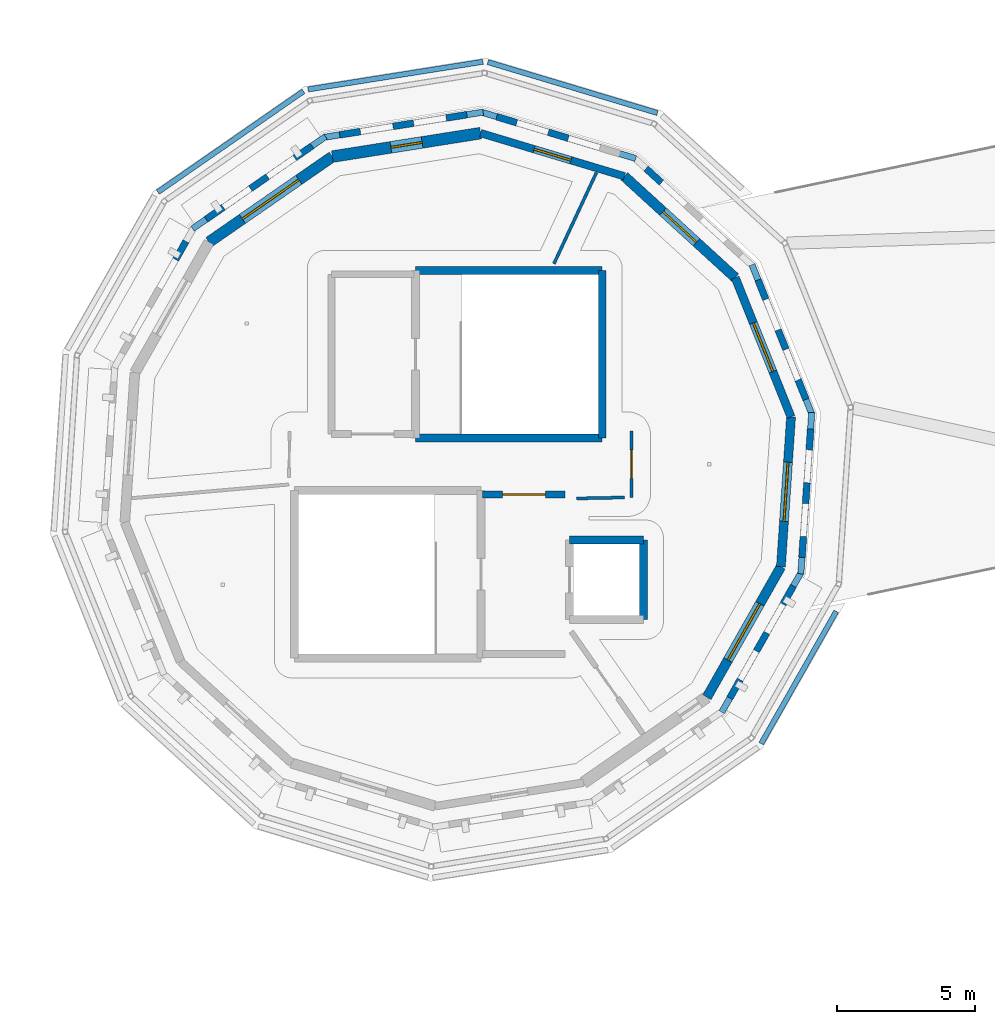
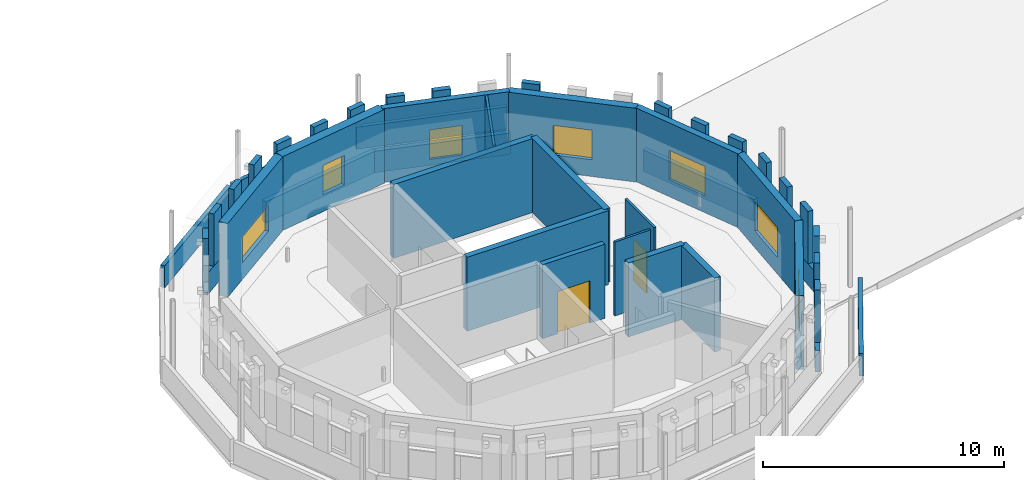
# One storey, part 40 of 51: 45 walls, 7 windows, 2 doors, 9 openings.
"""IFC4 building model written with IfcOpenShell, lengths in metres."""

import ifcopenshell
import ifcopenshell.guid

model = None  # the IFC model being written
_history = None  # IfcOwnerHistory: only IFC2X3 demands one
_inside = {}  # id of a spatial element -> (the spatial element, [elements in it])
_under = {}  # id of a project, library or spatial element -> (it, [spatial elements below it])
_declared = {}  # id of a project -> (the project, [libraries it declares])
_typed = {}  # id of a type object -> (the type object, [elements of that type])
_made_of = {}  # id of a material, layer set ... -> (it, [elements and type objects made of it])


def new_model(schema):
    """Start an empty IFC model of exactly this schema.

    Asked for "IFC4X3", IfcOpenShell would pick the latest addendum, in which some entities
    have other attributes; the version numbers below select the first issue.
    IFC2X3 requires an IfcOwnerHistory on every rooted entity: one is made here for all.
    """
    global model, _history
    if schema == "IFC4X3":
        model = ifcopenshell.file(schema_version=(4, 3, 0, 0))
    else:
        model = ifcopenshell.file(schema=schema)
    _inside.clear()
    _under.clear()
    _declared.clear()
    _typed.clear()
    _made_of.clear()
    _history = None
    if model.schema == "IFC2X3":
        org = make("IfcOrganization", Name="unknown")
        user = make(
            "IfcPersonAndOrganization",
            ThePerson=make("IfcPerson", FamilyName="unknown"),
            TheOrganization=org,
        )
        app = make(
            "IfcApplication",
            ApplicationDeveloper=org,
            Version="unknown",
            ApplicationFullName="unknown",
            ApplicationIdentifier="unknown",
        )
        _history = make(
            "IfcOwnerHistory",
            OwningUser=user,
            OwningApplication=app,
            ChangeAction="ADDED",
            CreationDate=0,
        )
    return model


def make(cls, **values):
    """One entity of the class cls with the attributes given. An attribute that is None is left unset."""
    return model.create_entity(
        cls, **{name: value for name, value in values.items() if value is not None}
    )


def rooted(cls, **values):
    """An entity with a GlobalId (a new one), such as an element, a storey or a relation."""
    return make(cls, GlobalId=ifcopenshell.guid.new(), OwnerHistory=_history, **values)


def si_unit(unit_type, name, prefix=None):
    """IfcSIUnit, for example si_unit("LENGTHUNIT", "METRE", prefix="MILLI")."""
    return make("IfcSIUnit", UnitType=unit_type, Prefix=prefix, Name=name)


def assignment(units):
    """IfcUnitAssignment: the units of a project."""
    return None if units is None else make("IfcUnitAssignment", Units=units)


def point(xyz):
    """IfcCartesianPoint."""
    return None if xyz is None else make("IfcCartesianPoint", Coordinates=xyz)


def direction(xyz):
    """IfcDirection."""
    return None if xyz is None else make("IfcDirection", DirectionRatios=xyz)


def frame(location, z_axis=None, x_axis=None):
    """IfcAxis2Placement3D, a coordinate frame: its origin and axes. An axis left out is left unset."""
    return make(
        "IfcAxis2Placement3D",
        Location=point(location),
        Axis=direction(z_axis),
        RefDirection=direction(x_axis),
    )


def frame_2d(location, x_axis=None):
    """IfcAxis2Placement2D, a coordinate frame in the plane: its origin and x axis."""
    return make(
        "IfcAxis2Placement2D", Location=point(location), RefDirection=direction(x_axis)
    )


def origin():
    """The frame at (0, 0, 0) with its axes left unset."""
    return frame((0.0, 0.0, 0.0))


def place(relative_to, where):
    """IfcLocalPlacement: puts the frame where relative to a parent placement (None: the world)."""
    return make(
        "IfcLocalPlacement", PlacementRelTo=relative_to, RelativePlacement=where
    )


def context(
    kind, dimensions, precision=None, world=None, true_north=None, identifier=None
):
    """IfcGeometricRepresentationContext, for example the 3D "Model" context."""
    return make(
        "IfcGeometricRepresentationContext",
        ContextIdentifier=identifier,
        ContextType=kind,
        CoordinateSpaceDimension=dimensions,
        Precision=precision,
        WorldCoordinateSystem=world,
        TrueNorth=true_north,
    )


def subcontext(parent, identifier, kind, view, scale=None):
    """IfcGeometricRepresentationSubContext, for example "Body" below "Model"."""
    return make(
        "IfcGeometricRepresentationSubContext",
        ContextIdentifier=identifier,
        ContextType=kind,
        ParentContext=parent,
        TargetScale=scale,
        TargetView=view,
    )


def project(units=None, contexts=None):
    """IfcProject with its units and contexts."""
    return rooted(
        "IfcProject",
        Name="project",
        RepresentationContexts=contexts,
        UnitsInContext=assignment(units),
    )


def spatial(cls, under=None, at=None, **own):
    """A site, building, storey or space (cls), placed at a placement, below another one or the project."""
    s = rooted(cls, ObjectPlacement=at, **own)
    if under is not None:
        _under.setdefault(under.id(), (under, []))[1].append(s)
    return s


def profile(cls, at=None, kind="AREA", **sizes):
    """A parametric profile (cls). Its sizes go by their IFC names, for example OverallWidth=200.0."""
    return make(cls, ProfileType=kind, Position=at, **sizes)


def rectangle(**sizes):
    """IfcRectangleProfileDef."""
    return profile("IfcRectangleProfileDef", **sizes)


def extrude(swept, where, along, depth):
    """IfcExtrudedAreaSolid: the profile swept, set in the frame where, extruded along a direction by depth."""
    return make(
        "IfcExtrudedAreaSolid",
        SweptArea=swept,
        Position=where,
        ExtrudedDirection=direction(along),
        Depth=depth,
    )


def shape(context_of_items, identifier, shape_type, items):
    """IfcShapeRepresentation: the items that make up one representation, for example the "Body"."""
    return make(
        "IfcShapeRepresentation",
        ContextOfItems=context_of_items,
        RepresentationIdentifier=identifier,
        RepresentationType=shape_type,
        Items=items,
    )


def material(Name=None, Category=None):
    """IfcMaterial."""
    return make("IfcMaterial", Name=Name, Category=Category)


def layer(
    of_material, thickness, ventilated=None, Name=None, Category=None, Priority=None
):
    """IfcMaterialLayer: one layer of a wall or slab, of a material (None: an air gap)."""
    return make(
        "IfcMaterialLayer",
        Material=of_material,
        LayerThickness=thickness,
        IsVentilated=ventilated,
        Name=Name,
        Category=Category,
        Priority=Priority,
    )


def layer_set(layers, Name=None):
    """IfcMaterialLayerSet."""
    return make("IfcMaterialLayerSet", MaterialLayers=layers, LayerSetName=Name)


def made_of(thing, what):
    """Note that an element or type object is made of a material, layer set ...; save() writes the relation."""
    if what is not None:
        _made_of.setdefault(what.id(), (what, []))[1].append(thing)
    return thing


def type_object(cls, material=None, **own):
    """A type object (cls), such as IfcWallType, which elements share."""
    return made_of(rooted(cls, **own), material)


def element(
    cls,
    number,
    at=None,
    inside=None,
    cuts=None,
    type_object=None,
    material=None,
    context=None,
    identifier="Body",
    shape_type=None,
    held_by="IfcProductDefinitionShape",
    body=None,
    shapes=None,
    **own,
):
    """One element of the class cls, such as IfcWall. Its Tag is "e" and its number.

    at: its placement. inside: the storey or other place that contains it. cuts: it is an
    opening in that element (IfcRelVoidsElement). A single representation is given by context,
    identifier, shape_type and body (its items); several are given by shapes. held_by: the class
    of the entity that holds the representations. save() writes the other relations.
    """
    e = rooted(cls, Tag="e%d" % number, ObjectPlacement=at, **own)
    if body is not None:
        shapes = [shape(context, identifier, shape_type, body)]
    if shapes is not None:
        e.Representation = make(held_by, Representations=shapes)
    if inside is not None:
        _inside.setdefault(inside.id(), (inside, []))[1].append(e)
    if cuts is not None:
        rooted(
            "IfcRelVoidsElement", RelatingBuildingElement=cuts, RelatedOpeningElement=e
        )
    if type_object is not None:
        _typed.setdefault(type_object.id(), (type_object, []))[1].append(e)
    return made_of(e, material)


def fill(opening, filler):
    """IfcRelFillsElement: the door or window that sits in an opening."""
    return rooted(
        "IfcRelFillsElement",
        RelatingOpeningElement=opening,
        RelatedBuildingElement=filler,
    )


def aggregate(whole, parts):
    """IfcRelAggregates: a whole, such as a stair, and the parts it consists of."""
    return rooted("IfcRelAggregates", RelatingObject=whole, RelatedObjects=parts)


def save(model, path):
    """Write the relations noted so far, then the file.

    IfcRelAggregates (storeys below a building ...), IfcRelContainedInSpatialStructure (elements
    in a storey), IfcRelDefinesByType, IfcRelAssociatesMaterial and IfcRelDeclares: one each for
    every whole, place, type object, material and project.
    """
    for whole, parts in _under.values():
        aggregate(whole, parts)
    for where, things in _inside.values():
        rooted(
            "IfcRelContainedInSpatialStructure",
            RelatedElements=things,
            RelatingStructure=where,
        )
    for kind, things in _typed.values():
        rooted("IfcRelDefinesByType", RelatedObjects=things, RelatingType=kind)
    for what, things in _made_of.values():
        rooted("IfcRelAssociatesMaterial", RelatedObjects=things, RelatingMaterial=what)
    for by, libraries in _declared.values():
        rooted("IfcRelDeclares", RelatingContext=by, RelatedDefinitions=libraries)
    model.write(path)


model = new_model("IFC4")

# Units and contexts
model_context = context("Model", 3, precision=1e-05, world=origin(), true_north=direction((0.0, 1.0)))
body_context = subcontext(model_context, "Body", "Model", "MODEL_VIEW")
ifc_project = project(units=[si_unit("LENGTHUNIT", "METRE"), si_unit("AREAUNIT", "SQUARE_METRE"), si_unit("VOLUMEUNIT", "CUBIC_METRE"), si_unit("PLANEANGLEUNIT", "RADIAN"), si_unit("MASSUNIT", "GRAM", prefix="KILO")], contexts=[model_context])

# Site, building, storey
site_placement = place(None, origin())
site = spatial("IfcSite", under=ifc_project, at=site_placement, CompositionType="ELEMENT")
building_placement = place(site_placement, origin())
building = spatial("IfcBuilding", under=site, at=building_placement, Name="Wrenclough Park School", CompositionType="ELEMENT")
storey_placement = place(building_placement, frame((0.0, 0.0, 16.800048828125)))
storey = spatial("IfcBuildingStorey", under=building, at=storey_placement, Name="L04", CompositionType="ELEMENT", Elevation=16.800048828125)

# Walls
ifc_material_1 = material(Name="Perforated open-bond Staffordshire and Manchester brick screen pier", Category="masonry")
ifc_layer_1 = layer(ifc_material_1, 0.2451171875)
ifc_layer_set_1 = layer_set([ifc_layer_1], Name="Perforated open-bond Staffordshire and Manchester brick screen pier")
wall_type_1 = type_object("IfcWallType", Name="ENV-BS-PR245", PredefinedType="ELEMENTEDWALL", material=ifc_layer_set_1)
wall_1_placement = place(storey_placement, frame((95.6474609375, 111.053955078125, 1.08984375), z_axis=(0.0, 0.0, 1.0), x_axis=(-0.372332088642, 0.928099572119, 0.0)))
element("IfcWall", 1, at=wall_1_placement, inside=storey, type_object=wall_type_1, Name="D4 L04 perforated brick screen pier 0920", PredefinedType="ELEMENTEDWALL", context=body_context, shape_type="SweptSolid", body=[
    extrude(rectangle(XDim=0.760009765625, YDim=0.2451171875, at=frame_2d((0.3798828125, 0.0))), origin(), (0.0, 0.0, 1.0), 2.650146484375),
])
wall_2_placement = place(storey_placement, frame((94.918212890625, 112.871337890625, 1.08984375), z_axis=(0.0, 0.0, 1.0), x_axis=(-0.372055321784, 0.92821055668, 0.0)))
element("IfcWall", 2, at=wall_2_placement, inside=storey, type_object=wall_type_1, Name="D4 L04 perforated brick screen pier 0921", PredefinedType="ELEMENTEDWALL", context=body_context, shape_type="SweptSolid", body=[
    extrude(rectangle(XDim=0.759765625, YDim=0.2451171875, at=frame_2d((0.3798828125, 0.0))), origin(), (0.0, 0.0, 1.0), 2.650146484375),
])
wall_3_placement = place(storey_placement, frame((94.189208984375, 114.688720703125, 1.08984375), z_axis=(0.0, 0.0, 1.0), x_axis=(-0.372221106522, 0.928144087876, 0.0)))
element("IfcWall", 3, at=wall_3_placement, inside=storey, type_object=wall_type_1, Name="D4 L04 perforated brick screen pier 0922", PredefinedType="ELEMENTEDWALL", context=body_context, shape_type="SweptSolid", body=[
    extrude(rectangle(XDim=0.76025390625, YDim=0.2451171875, at=frame_2d((0.380126953125, 0.0))), origin(), (0.0, 0.0, 1.0), 2.650146484375),
])
for number, where, z_axis, x_axis, name in (
    (4, (90.39599609375, 118.930908203125, 1.08984375), (0.0, 0.0, 1.0), (-0.738047098779, 0.674749197839, 0.0), "D4 L04 perforated brick screen pier 0925"),
    (5, (87.01318359375, 120.543701171875, 1.08984375), (0.0, 0.0, 1.0), (-0.957764363162, 0.287554211684, 0.0), "D4 L04 perforated brick screen pier 0927"),
):
    element("IfcWall", number, at=place(storey_placement, frame(where, z_axis=z_axis, x_axis=x_axis)), inside=storey, type_object=wall_type_1, Name=name, PredefinedType="ELEMENTEDWALL", context=body_context, shape_type="SweptSolid", body=[
        extrude(rectangle(XDim=0.759765625, YDim=0.2451171875, at=frame_2d((0.3798828125, 0.0))), origin(), (0.0, 0.0, 1.0), 2.650146484375),
    ])
wall_4_placement = place(storey_placement, frame((85.137939453125, 121.106689453125, 1.08984375), z_axis=(0.0, 0.0, 1.0), x_axis=(-0.957702446242, 0.287760359434, 0.0)))
element("IfcWall", 6, at=wall_4_placement, inside=storey, type_object=wall_type_1, Name="D4 L04 perforated brick screen pier 0928", PredefinedType="ELEMENTEDWALL", context=body_context, shape_type="SweptSolid", body=[
    extrude(rectangle(XDim=0.76025390625, YDim=0.2451171875, at=frame_2d((0.380126953125, 0.0))), origin(), (0.0, 0.0, 1.0), 2.650146484375),
])
for number, where, z_axis, x_axis, name in (
    (7, (83.324462890625, 121.398681640625, 1.08984375), (0.0, 0.0, 1.0), (-0.987689936286, -0.156424389909, 0.0), "D4 L04 perforated brick screen pier 0929"),
    (8, (81.390380859375, 121.09228515625, 1.08984375), (0.0, 0.0, 1.0), (-0.987689936286, -0.156424389909, 0.0), "D4 L04 perforated brick screen pier 0930"),
    (9, (79.456298828125, 120.785888671875, 1.08984375), (0.0, 0.0, 1.0), (-0.987689936286, -0.156424389909, 0.0), "D4 L04 perforated brick screen pier 0931"),
    (10, (77.69580078125, 120.261962890625, 1.08984375), (0.0, 0.0, 1.0), (-0.821983990668, -0.569510596113, 0.0), "D4 L04 perforated brick screen pier 0932"),
    (11, (76.086181640625, 119.146728515625, 1.08984375), (0.0, 0.0, 1.0), (-0.822134358489, -0.569293506543, 0.0), "D4 L04 perforated brick screen pier 0933"),
    (12, (74.4765625, 118.03173828125, 1.08984375), (0.0, 0.0, 1.0), (-0.821983990668, -0.569510596113, 0.0), "D4 L04 perforated brick screen pier 0934"),
    (13, (73.11767578125, 116.7958984375, 1.08984375), (0.0, 0.0, 1.0), (-0.493369123582, -0.869820043398, 0.0), "D4 L04 perforated brick screen pier 0935"),
    (14, (92.88232421875, 100.2041015625, 1.08984375), (0.0, 0.0, 1.0), (0.493369123582, 0.869820043398, 0.0), "D4 L04 perforated brick screen pier 0956"),
    (15, (93.8486328125, 101.9072265625, 1.08984375), (0.0, 0.0, 1.0), (0.493369123582, 0.869820043398, 0.0), "D4 L04 perforated brick screen pier 0957"),
    (16, (94.81494140625, 103.6103515625, 1.08984375), (0.0, 0.0, 1.0), (0.493369123582, 0.869820043398, 0.0), "D4 L04 perforated brick screen pier 0958"),
    (17, (95.5029296875, 105.3134765625, 1.08984375), (0.0, 0.0, 1.0), (0.06745706932, 0.997722177662, 0.0), "D4 L04 perforated brick screen pier 0959"),
):
    element("IfcWall", number, at=place(storey_placement, frame(where, z_axis=z_axis, x_axis=x_axis)), inside=storey, type_object=wall_type_1, Name=name, PredefinedType="ELEMENTEDWALL", context=body_context, shape_type="SweptSolid", body=[
        extrude(rectangle(XDim=0.760009765625, YDim=0.2451171875, at=frame_2d((0.3798828125, 0.0))), origin(), (0.0, 0.0, 1.0), 2.650146484375),
    ])
wall_5_placement = place(storey_placement, frame((95.634765625, 107.267333984375, 1.08984375), z_axis=(0.0, 0.0, 1.0), x_axis=(0.06715882133, 0.997742297749, 0.0)))
element("IfcWall", 18, at=wall_5_placement, inside=storey, type_object=wall_type_1, Name="D4 L04 perforated brick screen pier 0960", PredefinedType="ELEMENTEDWALL", context=body_context, shape_type="SweptSolid", body=[
    extrude(rectangle(XDim=0.759765625, YDim=0.2451171875, at=frame_2d((0.3798828125, 0.0))), origin(), (0.0, 0.0, 1.0), 2.650146484375),
])
wall_6_placement = place(storey_placement, frame((95.7666015625, 109.220947265625, 1.08984375), z_axis=(0.0, 0.0, 1.0), x_axis=(0.06713729652, 0.997743746368, 0.0)))
element("IfcWall", 19, at=wall_6_placement, inside=storey, type_object=wall_type_1, Name="D4 L04 perforated brick screen pier 0961", PredefinedType="ELEMENTEDWALL", context=body_context, shape_type="SweptSolid", body=[
    extrude(rectangle(XDim=0.760009765625, YDim=0.2451171875, at=frame_2d((0.3798828125, 0.0))), origin(), (0.0, 0.0, 1.0), 2.650146484375),
])
ifc_material_2 = material(Name="Open-bond Manchester multi-stock brick spandrel screen", Category="masonry")
ifc_layer_2 = layer(ifc_material_2, 0.22509765625)
ifc_layer_set_2 = layer_set([ifc_layer_2], Name="Open-bond Manchester multi-stock brick spandrel screen")
wall_type_2 = type_object("IfcWallType", Name="ENV-BS-SP225", PredefinedType="ELEMENTEDWALL", material=ifc_layer_set_2)
wall_7_placement = place(storey_placement, frame((95.870361328125, 110.497802734375, 0.0), z_axis=(0.0, 0.0, 1.0), x_axis=(-0.372278993488, 0.928120870904, 0.0)))
element("IfcWall", 20, at=wall_7_placement, inside=storey, type_object=wall_type_2, Name="D4 L04 open-bond brick screen spandrel 0252", PredefinedType="ELEMENTEDWALL", context=body_context, shape_type="SweptSolid", body=[
    extrude(rectangle(XDim=5.874755859375, YDim=0.22509765625, at=frame_2d((2.9375, 0.0))), origin(), (0.0, 0.0, 1.0), 1.08984375),
])
for number, where, z_axis, x_axis, name in (
    (21, (89.46240234375, 119.80810546875, 0.0), (0.0, 0.0, 1.0), (-0.957740454416, 0.287633833153, 0.0), "D4 L04 open-bond brick screen spandrel 0254"),
    (22, (83.916259765625, 121.4921875, 0.0), (0.0, 0.0, 1.0), (-0.987689397559, -0.156427791484, 0.0), "D4 L04 open-bond brick screen spandrel 0255"),
):
    element("IfcWall", number, at=place(storey_placement, frame(where, z_axis=z_axis, x_axis=x_axis)), inside=storey, type_object=wall_type_2, Name=name, PredefinedType="ELEMENTEDWALL", context=body_context, shape_type="SweptSolid", body=[
        extrude(rectangle(XDim=5.87451171875, YDim=0.22509765625, at=frame_2d((2.937255859375, 0.0))), origin(), (0.0, 0.0, 1.0), 1.08984375),
    ])
wall_8_placement = place(storey_placement, frame((78.188232421875, 120.60302734375, 0.0), z_axis=(0.0, 0.0, 1.0), x_axis=(-0.822020094665, -0.569458483093, 0.0)))
element("IfcWall", 23, at=wall_8_placement, inside=storey, type_object=wall_type_2, Name="D4 L04 open-bond brick screen spandrel 0256", PredefinedType="ELEMENTEDWALL", context=body_context, shape_type="SweptSolid", body=[
    extrude(rectangle(XDim=5.874267578125, YDim=0.22509765625, at=frame_2d((2.93701171875, 0.0))), origin(), (0.0, 0.0, 1.0), 1.08984375),
])
for number, where, z_axis, x_axis, name in (
    (24, (92.586669921875, 99.68310546875, 0.0), (0.0, 0.0, 1.0), (0.493478080184, 0.869758233291, 0.0), "D4 L04 open-bond brick screen spandrel 0264"),
    (25, (95.462646484375, 104.7158203125, 0.0), (0.0, 0.0, 1.0), (0.067285830215, 0.99773374056, 0.0), "D4 L04 open-bond brick screen spandrel 0265"),
):
    element("IfcWall", number, at=place(storey_placement, frame(where, z_axis=z_axis, x_axis=x_axis)), inside=storey, type_object=wall_type_2, Name=name, PredefinedType="ELEMENTEDWALL", context=body_context, shape_type="SweptSolid", body=[
        extrude(rectangle(XDim=5.87451171875, YDim=0.22509765625, at=frame_2d((2.937255859375, 0.0))), origin(), (0.0, 0.0, 1.0), 1.08984375),
    ])

# Wall, opening, window
ifc_material_3 = material(Name="Link wing brick-faced cavity wall Concrete C32/40", Category="masonry")
ifc_layer_3 = layer(ifc_material_3, 0.27490234375)
ifc_layer_set_3 = layer_set([ifc_layer_3], Name="Link wing brick-faced cavity wall Concrete C32/40")
wall_type_3 = type_object("IfcWallType", Name="ENV-EW-275", PredefinedType="SOLIDWALL", material=ifc_layer_set_3)
wall_9_placement = place(storey_placement, frame((83.82470703125, 120.729248046875, 0.0), z_axis=(0.0, 0.0, 1.0), x_axis=(0.957741239353, -0.287631219521, 0.0)))
wall_9 = element("IfcWall", 26, at=wall_9_placement, inside=storey, type_object=wall_type_3, Name="L04 insulated brick external wall 0374", PredefinedType="SOLIDWALL", context=body_context, shape_type="SweptSolid", body=[
    extrude(rectangle(XDim=5.454345703125, YDim=0.27490234375, at=frame_2d((2.72705078125, 0.0))), origin(), (0.0, 0.0, 1.0), 3.739990234375),
])
opening_1_placement = place(wall_9_placement, frame((2.02734375, 0.0, 0.85009765625)))
opening_1 = element("IfcOpeningElement", 27, at=opening_1_placement, cuts=wall_9, Name="Opening WN-51", PredefinedType="OPENING", context=body_context, shape_type="SweptSolid", body=[
    extrude(rectangle(XDim=1.39990234375, YDim=1.5, at=frame_2d((0.699951171875, 0.75))), frame((0.0, 0.1474609375, 0.0), z_axis=(0.0, -1.0, 0.0), x_axis=(1.0, 0.0, 0.0)), (0.0, 0.0, 1.0), 0.294921875),
])
ifc_material_4 = material(Name="Thermally broken aluminium and double-glazed low-e glass", Category="aluminium")
window_type_1 = type_object("IfcWindowType", Name="ENV-WN-51", PartitioningType="SINGLE_PANEL", PredefinedType="WINDOW", material=ifc_material_4)
window_1_placement = place(opening_1_placement, origin())
window_1 = element("IfcWindow", 28, at=window_1_placement, inside=storey, type_object=window_type_1, Name="L04 scheduled facade window 0610", OverallHeight=1.5, OverallWidth=1.39990234375, PartitioningType="SINGLE_PANEL", PredefinedType="WINDOW", context=body_context, shape_type="SweptSolid", body=[
    extrude(rectangle(XDim=1.39990234375, YDim=1.5, at=frame_2d((0.699951171875, 0.75))), frame((0.0, 0.030029296875, 0.0), z_axis=(0.0, -1.0, 0.0), x_axis=(1.0, 0.0, 0.0)), (0.0, 0.0, 1.0), 0.06005859375),
])
fill(opening_1, window_1)

ifc_material_5 = material(Name="Manchester multi-stock brick and Concrete C32/40 inner leaf", Category="masonry")
ifc_layer_4 = layer(ifc_material_5, 0.300048828125)
ifc_layer_set_4 = layer_set([ifc_layer_4], Name="Manchester multi-stock brick and Concrete C32/40 inner leaf")
wall_type_4 = type_object("IfcWallType", Name="ENV-EW-300", PredefinedType="SOLIDWALL", material=ifc_layer_set_4)
wall_10_placement = place(storey_placement, frame((93.0751953125, 115.47998046875, 0.0), z_axis=(0.0, 0.0, 1.0), x_axis=(0.372285636328, -0.928118206364, 0.0)))
wall_10 = element("IfcWall", 29, at=wall_10_placement, inside=storey, type_object=wall_type_4, Name="L04 insulated brick external wall 0376", PredefinedType="SOLIDWALL", context=body_context, shape_type="SweptSolid", body=[
    extrude(rectangle(XDim=5.454833984375, YDim=0.300048828125, at=frame_2d((2.7275390625, 0.0))), origin(), (0.0, 0.0, 1.0), 3.739990234375),
])
opening_2_placement = place(wall_10_placement, frame((1.777587890625, 0.0, 0.85009765625)))
opening_2 = element("IfcOpeningElement", 30, at=opening_2_placement, cuts=wall_10, Name="Opening WN-53", PredefinedType="OPENING", context=body_context, shape_type="SweptSolid", body=[
    extrude(rectangle(XDim=1.89990234375, YDim=1.5, at=frame_2d((0.949951171875, 0.75))), frame((0.0, 0.159912109375, 0.0), z_axis=(0.0, -1.0, 0.0), x_axis=(1.0, 0.0, 0.0)), (0.0, 0.0, 1.0), 0.320068359375),
])
window_type_2 = type_object("IfcWindowType", Name="ENV-WN-53", PartitioningType="DOUBLE_PANEL_VERTICAL", PredefinedType="WINDOW", material=ifc_material_4)
window_2_placement = place(opening_2_placement, origin())
window_2 = element("IfcWindow", 31, at=window_2_placement, inside=storey, type_object=window_type_2, Name="L04 scheduled facade window 0612", OverallHeight=1.5, OverallWidth=1.89990234375, PartitioningType="SINGLE_PANEL", PredefinedType="WINDOW", context=body_context, shape_type="SweptSolid", body=[
    extrude(rectangle(XDim=1.89990234375, YDim=1.5, at=frame_2d((0.949951171875, 0.75))), frame((0.0, 0.030029296875, 0.0), z_axis=(0.0, -1.0, 0.0), x_axis=(1.0, 0.0, 0.0)), (0.0, 0.0, 1.0), 0.06005859375),
])
fill(opening_2, window_2)

ifc_layer_5 = layer(ifc_material_5, 0.324951171875)
ifc_layer_set_5 = layer_set([ifc_layer_5], Name="Manchester multi-stock brick and Concrete C32/40 inner leaf")
wall_type_5 = type_object("IfcWallType", Name="ENV-EW-325", PredefinedType="SOLIDWALL", material=ifc_layer_set_5)
wall_11_placement = place(storey_placement, frame((95.10595703125, 110.417236328125, 0.0), z_axis=(0.0, 0.0, 1.0), x_axis=(-0.067273565792, -0.997734567581, 0.0)))
wall_11 = element("IfcWall", 32, at=wall_11_placement, inside=storey, type_object=wall_type_5, Name="L04 insulated brick external wall 0377", PredefinedType="SOLIDWALL", context=body_context, shape_type="SweptSolid", body=[
    extrude(rectangle(XDim=5.45458984375, YDim=0.324951171875, at=frame_2d((2.727294921875, 0.0))), origin(), (0.0, 0.0, 1.0), 3.739990234375),
])
opening_3_placement = place(wall_11_placement, frame((1.65234375, 0.0, 0.85009765625)))
opening_3 = element("IfcOpeningElement", 33, at=opening_3_placement, cuts=wall_11, Name="Opening WN-54", PredefinedType="OPENING", context=body_context, shape_type="SweptSolid", body=[
    extrude(rectangle(XDim=2.14990234375, YDim=1.5, at=frame_2d((1.074951171875, 0.75))), frame((0.0, 0.17236328125, 0.0), z_axis=(0.0, -1.0, 0.0), x_axis=(1.0, 0.0, 0.0)), (0.0, 0.0, 1.0), 0.344970703125),
])
window_type_3 = type_object("IfcWindowType", Name="ENV-WN-54", PartitioningType="DOUBLE_PANEL_VERTICAL", PredefinedType="WINDOW", material=ifc_material_4)
window_3_placement = place(opening_3_placement, origin())
window_3 = element("IfcWindow", 34, at=window_3_placement, inside=storey, type_object=window_type_3, Name="L04 scheduled facade window 0613", OverallHeight=1.5, OverallWidth=2.14990234375, PartitioningType="SINGLE_PANEL", PredefinedType="WINDOW", context=body_context, shape_type="SweptSolid", body=[
    extrude(rectangle(XDim=2.14990234375, YDim=1.5, at=frame_2d((1.074951171875, 0.75))), frame((0.0, 0.030029296875, 0.0), z_axis=(0.0, -1.0, 0.0), x_axis=(1.0, 0.0, 0.0)), (0.0, 0.0, 1.0), 0.06005859375),
])
fill(opening_3, window_3)

ifc_material_6 = material(Name="Staffordshire blue-grey brick and Concrete C35/45 inner leaf", Category="masonry")
ifc_layer_6 = layer(ifc_material_6, 0.35009765625)
ifc_layer_set_6 = layer_set([ifc_layer_6], Name="Staffordshire blue-grey brick and Concrete C35/45 inner leaf")
wall_type_6 = type_object("IfcWallType", Name="ENV-EW-350", PredefinedType="SOLIDWALL", material=ifc_layer_set_6)
wall_12_placement = place(storey_placement, frame((94.739013671875, 104.97509765625, 0.0), z_axis=(0.0, 0.0, 1.0), x_axis=(-0.493466451817, -0.86976483082, 0.0)))
wall_12 = element("IfcWall", 35, at=wall_12_placement, inside=storey, type_object=wall_type_6, Name="L04 insulated brick external wall 0378", PredefinedType="SOLIDWALL", context=body_context, shape_type="SweptSolid", body=[
    extrude(rectangle(XDim=5.455078125, YDim=0.35009765625, at=frame_2d((2.7275390625, 0.0))), origin(), (0.0, 0.0, 1.0), 3.739990234375),
])
opening_4_placement = place(wall_12_placement, frame((1.552490234375, 0.0, 0.85009765625)))
opening_4 = element("IfcOpeningElement", 36, at=opening_4_placement, cuts=wall_12, Name="Opening WN-55", PredefinedType="OPENING", context=body_context, shape_type="SweptSolid", body=[
    extrude(rectangle(XDim=2.35009765625, YDim=1.5, at=frame_2d((1.175048828125, 0.75))), frame((0.0, 0.18505859375, 0.0), z_axis=(0.0, -1.0, 0.0), x_axis=(1.0, 0.0, 0.0)), (0.0, 0.0, 1.0), 0.3701171875),
])
window_type_4 = type_object("IfcWindowType", Name="ENV-WN-55", PartitioningType="DOUBLE_PANEL_VERTICAL", PredefinedType="WINDOW", material=ifc_material_4)
window_4_placement = place(opening_4_placement, origin())
window_4 = element("IfcWindow", 37, at=window_4_placement, inside=storey, type_object=window_type_4, Name="L04 scheduled facade window 0614", OverallHeight=1.5, OverallWidth=2.35009765625, PartitioningType="SINGLE_PANEL", PredefinedType="WINDOW", context=body_context, shape_type="SweptSolid", body=[
    extrude(rectangle(XDim=2.35009765625, YDim=1.5, at=frame_2d((1.175048828125, 0.75))), frame((0.0, 0.030029296875, 0.0), z_axis=(0.0, -1.0, 0.0), x_axis=(1.0, 0.0, 0.0)), (0.0, 0.0, 1.0), 0.06005859375),
])
fill(opening_4, window_4)

ifc_material_7 = material(Name="Faceted courtyard brick-cavity wall Concrete C35/45", Category="masonry")
ifc_layer_7 = layer(ifc_material_7, 0.364990234375)
ifc_layer_set_7 = layer_set([ifc_layer_7], Name="Faceted courtyard brick-cavity wall Concrete C35/45")
wall_type_7 = type_object("IfcWallType", Name="ENV-EW-365", PredefinedType="SOLIDWALL", material=ifc_layer_set_7)
wall_13_placement = place(storey_placement, frame((89.048583984375, 119.160400390625, 0.0), z_axis=(0.0, 0.0, 1.0), x_axis=(0.738124958586, -0.674664024173, 0.0)))
wall_13 = element("IfcWall", 38, at=wall_13_placement, inside=storey, type_object=wall_type_7, Name="L04 insulated brick external wall 0375", PredefinedType="SOLIDWALL", context=body_context, shape_type="SweptSolid", body=[
    extrude(rectangle(XDim=5.455078125, YDim=0.364990234375, at=frame_2d((2.7275390625, 0.0))), origin(), (0.0, 0.0, 1.0), 3.739990234375),
])
opening_5_placement = place(wall_13_placement, frame((1.902587890625, 0.0, 0.85009765625)))
opening_5 = element("IfcOpeningElement", 39, at=opening_5_placement, cuts=wall_13, Name="Opening WN-52", PredefinedType="OPENING", context=body_context, shape_type="SweptSolid", body=[
    extrude(rectangle(XDim=1.64990234375, YDim=1.5, at=frame_2d((0.824951171875, 0.75))), frame((0.0, 0.1923828125, 0.0), z_axis=(0.0, -1.0, 0.0), x_axis=(1.0, 0.0, 0.0)), (0.0, 0.0, 1.0), 0.385009765625),
])
window_type_5 = type_object("IfcWindowType", Name="ENV-WN-52", PartitioningType="DOUBLE_PANEL_VERTICAL", PredefinedType="WINDOW", material=ifc_material_4)
window_5_placement = place(opening_5_placement, origin())
window_5 = element("IfcWindow", 40, at=window_5_placement, inside=storey, type_object=window_type_5, Name="L04 scheduled facade window 0611", OverallHeight=1.5, OverallWidth=1.64990234375, PartitioningType="SINGLE_PANEL", PredefinedType="WINDOW", context=body_context, shape_type="SweptSolid", body=[
    extrude(rectangle(XDim=1.64990234375, YDim=1.5, at=frame_2d((0.824951171875, 0.75))), frame((0.0, 0.030029296875, 0.0), z_axis=(0.0, -1.0, 0.0), x_axis=(1.0, 0.0, 0.0)), (0.0, 0.0, 1.0), 0.06005859375),
])
fill(opening_5, window_5)

ifc_material_8 = material(Name="Staffordshire blue-grey brick and Concrete C40/50 acoustic leaf", Category="masonry")
ifc_layer_8 = layer(ifc_material_8, 0.39990234375)
ifc_layer_set_8 = layer_set([ifc_layer_8], Name="Staffordshire blue-grey brick and Concrete C40/50 acoustic leaf")
wall_type_8 = type_object("IfcWallType", Name="ENV-EW-400", PredefinedType="SOLIDWALL", material=ifc_layer_set_8)
wall_14_placement = place(storey_placement, frame((73.952880859375, 116.76953125, 0.0), z_axis=(0.0, 0.0, 1.0), x_axis=(0.822002019209, 0.569484574345, 0.0)))
wall_14 = element("IfcWall", 41, at=wall_14_placement, inside=storey, type_object=wall_type_8, Name="L04 insulated brick external wall 0372", PredefinedType="SOLIDWALL", context=body_context, shape_type="SweptSolid", body=[
    extrude(rectangle(XDim=5.454833984375, YDim=0.39990234375, at=frame_2d((2.7275390625, 0.0))), origin(), (0.0, 0.0, 1.0), 3.739990234375),
])
opening_6_placement = place(wall_14_placement, frame((1.477294921875, 0.0, 0.85009765625)))
opening_6 = element("IfcOpeningElement", 42, at=opening_6_placement, cuts=wall_14, Name="Opening WN-49", PredefinedType="OPENING", context=body_context, shape_type="SweptSolid", body=[
    extrude(rectangle(XDim=2.5, YDim=1.300048828125, at=frame_2d((1.25, 0.64990234375))), frame((0.0, 0.2099609375, 0.0), z_axis=(0.0, -1.0, 0.0), x_axis=(1.0, 0.0, 0.0)), (0.0, 0.0, 1.0), 0.419921875),
])
window_type_6 = type_object("IfcWindowType", Name="ENV-WN-49", PartitioningType="DOUBLE_PANEL_VERTICAL", PredefinedType="WINDOW", material=ifc_material_4)
window_6_placement = place(opening_6_placement, origin())
window_6 = element("IfcWindow", 43, at=window_6_placement, inside=storey, type_object=window_type_6, Name="L04 scheduled facade window 0608", OverallHeight=1.300048828125, OverallWidth=2.5, PartitioningType="SINGLE_PANEL", PredefinedType="WINDOW", context=body_context, shape_type="SweptSolid", body=[
    extrude(rectangle(XDim=2.5, YDim=1.300048828125, at=frame_2d((1.25, 0.64990234375))), frame((0.0, 0.030029296875, 0.0), z_axis=(0.0, -1.0, 0.0), x_axis=(1.0, 0.0, 0.0)), (0.0, 0.0, 1.0), 0.06005859375),
])
fill(opening_6, window_6)

ifc_material_9 = material(Name="Insulated brick-clad sports hall wall Concrete C40/50", Category="masonry")
ifc_layer_9 = layer(ifc_material_9, 0.425048828125)
ifc_layer_set_9 = layer_set([ifc_layer_9], Name="Insulated brick-clad sports hall wall Concrete C40/50")
wall_type_9 = type_object("IfcWallType", Name="ENV-EW-425", PredefinedType="SOLIDWALL", material=ifc_layer_set_9)
wall_15_placement = place(storey_placement, frame((78.436767578125, 119.8759765625, 0.0), z_axis=(0.0, 0.0, 1.0), x_axis=(0.987691011109, 0.156417603146, 0.0)))
wall_15 = element("IfcWall", 44, at=wall_15_placement, inside=storey, type_object=wall_type_9, Name="L04 insulated brick external wall 0373", PredefinedType="SOLIDWALL", context=body_context, shape_type="SweptSolid", body=[
    extrude(rectangle(XDim=5.455078125, YDim=0.425048828125, at=frame_2d((2.7275390625, 0.0))), origin(), (0.0, 0.0, 1.0), 3.739990234375),
])
opening_7_placement = place(wall_15_placement, frame((2.152587890625, 0.0, 0.85009765625)))
opening_7 = element("IfcOpeningElement", 45, at=opening_7_placement, cuts=wall_15, Name="Opening WN-50", PredefinedType="OPENING", context=body_context, shape_type="SweptSolid", body=[
    extrude(rectangle(XDim=1.14990234375, YDim=1.5, at=frame_2d((0.574951171875, 0.75))), frame((0.0, 0.222412109375, 0.0), z_axis=(0.0, -1.0, 0.0), x_axis=(1.0, 0.0, 0.0)), (0.0, 0.0, 1.0), 0.445068359375),
])
window_type_7 = type_object("IfcWindowType", Name="ENV-WN-50", PartitioningType="SINGLE_PANEL", PredefinedType="WINDOW", material=ifc_material_4)
window_7_placement = place(opening_7_placement, origin())
window_7 = element("IfcWindow", 46, at=window_7_placement, inside=storey, type_object=window_type_7, Name="L04 scheduled facade window 0609", OverallHeight=1.5, OverallWidth=1.14990234375, PartitioningType="SINGLE_PANEL", PredefinedType="WINDOW", context=body_context, shape_type="SweptSolid", body=[
    extrude(rectangle(XDim=1.14990234375, YDim=1.5, at=frame_2d((0.574951171875, 0.75))), frame((0.0, 0.030029296875, 0.0), z_axis=(0.0, -1.0, 0.0), x_axis=(1.0, 0.0, 0.0)), (0.0, 0.0, 1.0), 0.06005859375),
])
fill(opening_7, window_7)

# Walls
ifc_material_10 = material(Name="Patinated copper-coped link roof parapet", Category="masonry")
ifc_layer_10 = layer(ifc_material_10, 0.18994140625)
ifc_layer_set_10 = layer_set([ifc_layer_10], Name="Patinated copper-coped link roof parapet")
wall_type_10 = type_object("IfcWallType", Name="ENV-PW-190", PredefinedType="PARAPET", material=ifc_layer_set_10)
wall_16_placement = place(storey_placement, frame((90.251708984375, 121.4609375, 0.0), z_axis=(0.0, 0.0, 1.0), x_axis=(-0.957754212723, 0.28758801785, 0.0)))
element("IfcWall", 47, at=wall_16_placement, inside=storey, type_object=wall_type_10, Name="D4-STEP-ROOF cylindrical drum parapet wall 044", PredefinedType="PARAPET", context=body_context, shape_type="SweptSolid", body=[
    extrude(rectangle(XDim=6.435791015625, YDim=0.18994140625, at=frame_2d((3.2177734375, 0.0))), origin(), (0.0, 0.0, 1.0), 1.119873046875),
])
for number, where, z_axis, x_axis, name in (
    (48, (83.909912109375, 123.32373046875, 0.0), (0.0, 0.0, 1.0), (-0.987685637703, -0.156451529475, 0.0), "D4-STEP-ROOF cylindrical drum parapet wall 045"),
    (49, (77.38818359375, 122.25048828125, 0.0), (0.0, 0.0, 1.0), (-0.822025543464, -0.569450617607, 0.0), "D4-STEP-ROOF cylindrical drum parapet wall 046"),
):
    element("IfcWall", number, at=place(storey_placement, frame(where, z_axis=z_axis, x_axis=x_axis)), inside=storey, type_object=wall_type_10, Name=name, PredefinedType="PARAPET", context=body_context, shape_type="SweptSolid", body=[
        extrude(rectangle(XDim=6.435546875, YDim=0.18994140625, at=frame_2d((3.2177734375, 0.0))), origin(), (0.0, 0.0, 1.0), 1.119873046875),
    ])
wall_17_placement = place(storey_placement, frame((94.022216796875, 98.5458984375, 0.0), z_axis=(0.0, 0.0, 1.0), x_axis=(0.493504317774, 0.869743346246, 0.0)))
element("IfcWall", 50, at=wall_17_placement, inside=storey, type_object=wall_type_10, Name="D4-STEP-ROOF cylindrical drum parapet wall 054", PredefinedType="PARAPET", context=body_context, shape_type="SweptSolid", body=[
    extrude(rectangle(XDim=5.5234375, YDim=0.18994140625, at=frame_2d((2.76171875, 0.0))), origin(), (0.0, 0.0, 1.0), 1.119873046875),
])

# Wall, opening, door
ifc_material_11 = material(Name="Concrete C35/45", Category="concrete")
ifc_layer_11 = layer(ifc_material_11, 0.25)
ifc_layer_set_11 = layer_set([ifc_layer_11], Name="Concrete C35/45")
wall_type_11 = type_object("IfcWallType", Name="INT-CW-250", PredefinedType="SHEAR", material=ifc_layer_set_11)
wall_18_placement = place(storey_placement, frame((86.89990234375, 107.60009765625, 0.0), z_axis=(0.0, 0.0, 1.0), x_axis=(-1.0, 0.0, 0.0)))
wall_18 = element("IfcWall", 51, at=wall_18_placement, inside=storey, type_object=wall_type_11, Name="Core C4 L04 lobby fire wall north", PredefinedType="SHEAR", context=body_context, shape_type="SweptSolid", body=[
    extrude(rectangle(XDim=3.0, YDim=0.25, at=frame_2d((1.5, 0.0))), origin(), (0.0, 0.0, 1.0), 3.75),
])
opening_8_placement = place(wall_18_placement, frame((0.72509765625, 0.0, 0.0)))
opening_8 = element("IfcOpeningElement", 52, at=opening_8_placement, cuts=wall_18, Name="Opening DLB-C4-L04", PredefinedType="OPENING", context=body_context, shape_type="SweptSolid", body=[
    extrude(rectangle(XDim=1.550048828125, YDim=2.14990234375, at=frame_2d((0.77490234375, 1.074951171875))), frame((0.0, 0.135009765625, 0.0), z_axis=(0.0, -1.0, 0.0), x_axis=(1.0, 0.0, 0.0)), (0.0, 0.0, 1.0), 0.27001953125),
])
ifc_material_12 = material(Name="Protected stair lobby double fire door assembly", Category="wood")
door_type_1 = type_object("IfcDoorType", Name="INT-DR-LB155", OperationType="NOTDEFINED", PredefinedType="DOOR", material=ifc_material_12)
door_1_placement = place(opening_8_placement, origin())
door_1 = element("IfcDoor", 53, at=door_1_placement, inside=storey, type_object=door_type_1, Name="Core C4 L04 protected lobby fire door", OperationType="DOUBLE_DOOR_SINGLE_SWING", OverallHeight=2.14990234375, OverallWidth=1.550048828125, PredefinedType="DOOR", context=body_context, shape_type="SweptSolid", body=[
    extrude(rectangle(XDim=1.550048828125, YDim=2.14990234375, at=frame_2d((0.77490234375, 1.074951171875))), frame((0.0, 0.02490234375, 0.0), z_axis=(0.0, -1.0, 0.0), x_axis=(1.0, 0.0, 0.0)), (0.0, 0.0, 1.0), 0.050048828125),
])
fill(opening_8, door_1)

# Walls
ifc_material_13 = material(Name="Concrete C40/50", Category="concrete")
ifc_layer_12 = layer(ifc_material_13, 0.2900390625)
ifc_layer_set_12 = layer_set([ifc_layer_12], Name="Concrete C40/50")
wall_type_12 = type_object("IfcWallType", Name="INT-CW-290", PredefinedType="SHEAR", material=ifc_layer_set_12)
wall_19_placement = place(storey_placement, frame((89.7451171875, 103.054931640625, 0.0), z_axis=(0.0, 0.0, 1.0), x_axis=(0.0, 1.0, 0.0)))
element("IfcWall", 54, at=wall_19_placement, inside=storey, type_object=wall_type_12, Name="Lift LFT-06 L04 east shaft wall", PredefinedType="SHEAR", context=body_context, shape_type="SweptSolid", body=[
    extrude(rectangle(XDim=2.89013671875, YDim=0.2900390625, at=frame_2d((1.445068359375, 0.0))), origin(), (0.0, 0.0, 1.0), 3.75),
])
wall_20_placement = place(storey_placement, frame((89.7451171875, 105.945068359375, 0.0), z_axis=(0.0, 0.0, 1.0), x_axis=(-1.0, 0.0, 0.0)))
element("IfcWall", 55, at=wall_20_placement, inside=storey, type_object=wall_type_12, Name="Lift LFT-06 L04 north shaft wall", PredefinedType="SHEAR", context=body_context, shape_type="SweptSolid", body=[
    extrude(rectangle(XDim=2.690185546875, YDim=0.2900390625, at=frame_2d((1.34521484375, 0.0))), origin(), (0.0, 0.0, 1.0), 3.75),
])
wall_21_placement = place(storey_placement, frame((81.455078125, 109.655029296875, 0.0), z_axis=(0.0, 0.0, 1.0), x_axis=(1.0, 0.0, 0.0)))
element("IfcWall", 56, at=wall_21_placement, inside=storey, type_object=wall_type_12, Name="Core C4B L04 south shear wall", PredefinedType="SHEAR", context=body_context, shape_type="SweptSolid", body=[
    extrude(rectangle(XDim=6.7900390625, YDim=0.2900390625, at=frame_2d((3.39501953125, 0.0))), origin(), (0.0, 0.0, 1.0), 3.75),
])
wall_22_placement = place(storey_placement, frame((88.2451171875, 109.655029296875, 0.0), z_axis=(0.0, 0.0, 1.0), x_axis=(0.0, 1.0, 0.0)))
element("IfcWall", 57, at=wall_22_placement, inside=storey, type_object=wall_type_12, Name="Core C4B L04 east shear wall", PredefinedType="SHEAR", context=body_context, shape_type="SweptSolid", body=[
    extrude(rectangle(XDim=6.090087890625, YDim=0.2900390625, at=frame_2d((3.044921875, 0.0))), origin(), (0.0, 0.0, 1.0), 3.75),
])
wall_23_placement = place(storey_placement, frame((88.2451171875, 115.7451171875, 0.0), z_axis=(0.0, 0.0, 1.0), x_axis=(-1.0, 0.0, 0.0)))
element("IfcWall", 58, at=wall_23_placement, inside=storey, type_object=wall_type_12, Name="Core C4B L04 north shear wall", PredefinedType="SHEAR", context=body_context, shape_type="SweptSolid", body=[
    extrude(rectangle(XDim=6.7900390625, YDim=0.2900390625, at=frame_2d((3.39501953125, 0.0))), origin(), (0.0, 0.0, 1.0), 3.75),
])
ifc_material_14 = material(Name="Lightweight fire-rated store partition", Category="gypsum")
ifc_layer_13 = layer(ifc_material_14, 0.110107421875)
ifc_layer_set_13 = layer_set([ifc_layer_13], Name="Lightweight fire-rated store partition")
wall_type_13 = type_object("IfcWallType", Name="INT-PW-110", PredefinedType="PARTITIONING", material=ifc_layer_set_13)
wall_24_placement = place(storey_placement, frame((86.490234375, 115.985107421875, 0.0), z_axis=(0.0, 0.0, 1.0), x_axis=(0.42263662465, 0.906299224045, 0.0)))
element("IfcWall", 59, at=wall_24_placement, inside=storey, type_object=wall_type_13, Name="L04 internal partition 0498", PredefinedType="PARTITIONING", context=body_context, shape_type="SweptSolid", body=[
    extrude(rectangle(XDim=3.652587890625, YDim=0.110107421875, at=frame_2d((1.826171875, 0.0))), origin(), (0.0, 0.0, 1.0), 3.75),
])

# Wall, opening, door
wall_25_placement = place(storey_placement, frame((89.30615234375, 109.906005859375, 0.0), z_axis=(0.0, 0.0, 1.0), x_axis=(0.0, -1.0, 0.0)))
wall_25 = element("IfcWall", 60, at=wall_25_placement, inside=storey, type_object=wall_type_13, Name="L04 internal partition 0502", PredefinedType="PARTITIONING", context=body_context, shape_type="SweptSolid", body=[
    extrude(rectangle(XDim=2.412109375, YDim=0.110107421875, at=frame_2d((1.2060546875, 0.0))), origin(), (0.0, 0.0, 1.0), 3.75),
])
opening_9_placement = place(wall_25_placement, frame((0.68603515625, 0.0, 0.0)))
opening_9 = element("IfcOpeningElement", 61, at=opening_9_placement, cuts=wall_25, Name="Opening DR-L04-109", PredefinedType="OPENING", context=body_context, shape_type="SweptSolid", body=[
    extrude(rectangle(XDim=1.0400390625, YDim=2.10009765625, at=frame_2d((0.52001953125, 1.050048828125))), frame((0.0, 0.06494140625, 0.0), z_axis=(0.0, -1.0, 0.0), x_axis=(1.0, 0.0, 0.0)), (0.0, 0.0, 1.0), 0.130126953125),
])
ifc_material_15 = material(Name="SEN accessible teaching room door assembly", Category="wood")
door_type_2 = type_object("IfcDoorType", Name="INT-DR-CL104", OperationType="NOTDEFINED", PredefinedType="DOOR", material=ifc_material_15)
door_2_placement = place(opening_9_placement, origin())
door_2 = element("IfcDoor", 62, at=door_2_placement, inside=storey, type_object=door_type_2, Name="GCSE Seminar Classroom 2 door DR-L04-109", OperationType="SINGLE_SWING_RIGHT", OverallHeight=2.10009765625, OverallWidth=1.0400390625, PredefinedType="DOOR", context=body_context, shape_type="SweptSolid", body=[
    extrude(rectangle(XDim=1.0400390625, YDim=2.10009765625, at=frame_2d((0.52001953125, 1.050048828125))), frame((0.0, 0.02490234375, 0.0), z_axis=(0.0, -1.0, 0.0), x_axis=(1.0, 0.0, 0.0)), (0.0, 0.0, 1.0), 0.050048828125),
])
fill(opening_9, door_2)

# Wall
wall_26_placement = place(storey_placement, frame((89.056396484375, 107.489013671875, 0.0), z_axis=(0.0, 0.0, 1.0), x_axis=(-0.999795600492, -0.020217745607, 0.0)))
element("IfcWall", 63, at=wall_26_placement, inside=storey, type_object=wall_type_13, Name="L04 internal partition 0503", PredefinedType="PARTITIONING", context=body_context, shape_type="SweptSolid", body=[
    extrude(rectangle(XDim=1.73876953125, YDim=0.110107421875, at=frame_2d((0.869384765625, 0.0))), origin(), (0.0, 0.0, 1.0), 3.75),
])

save(model, "model.ifc")
